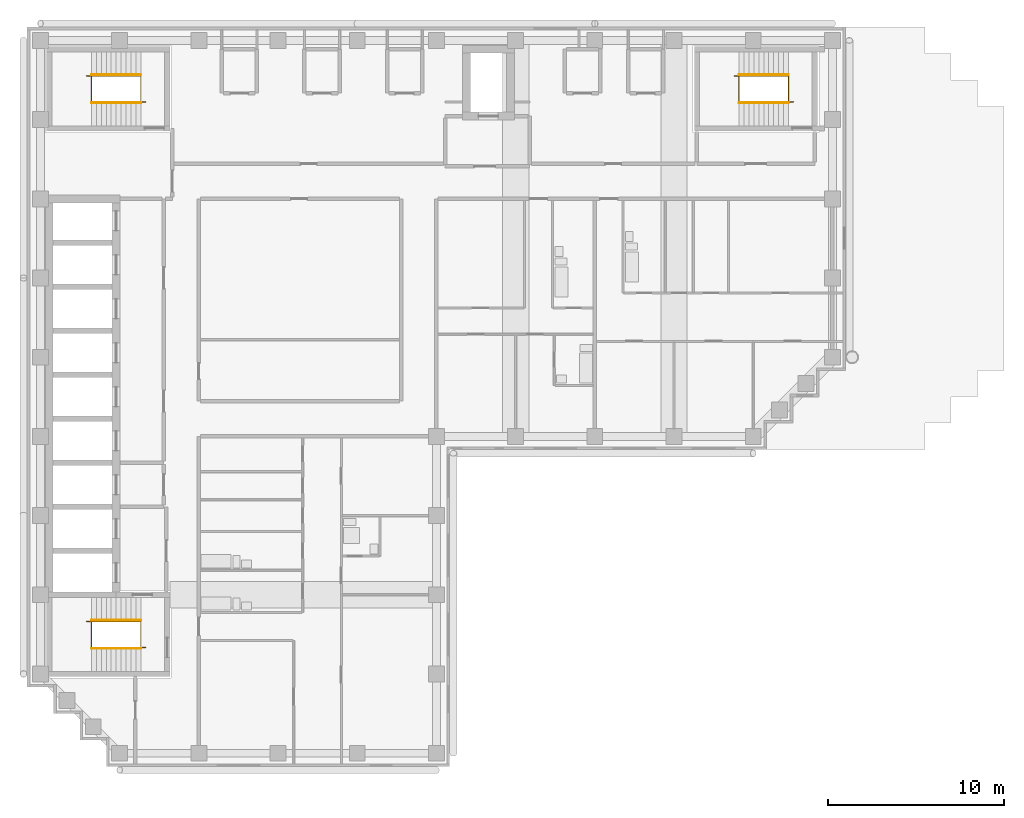
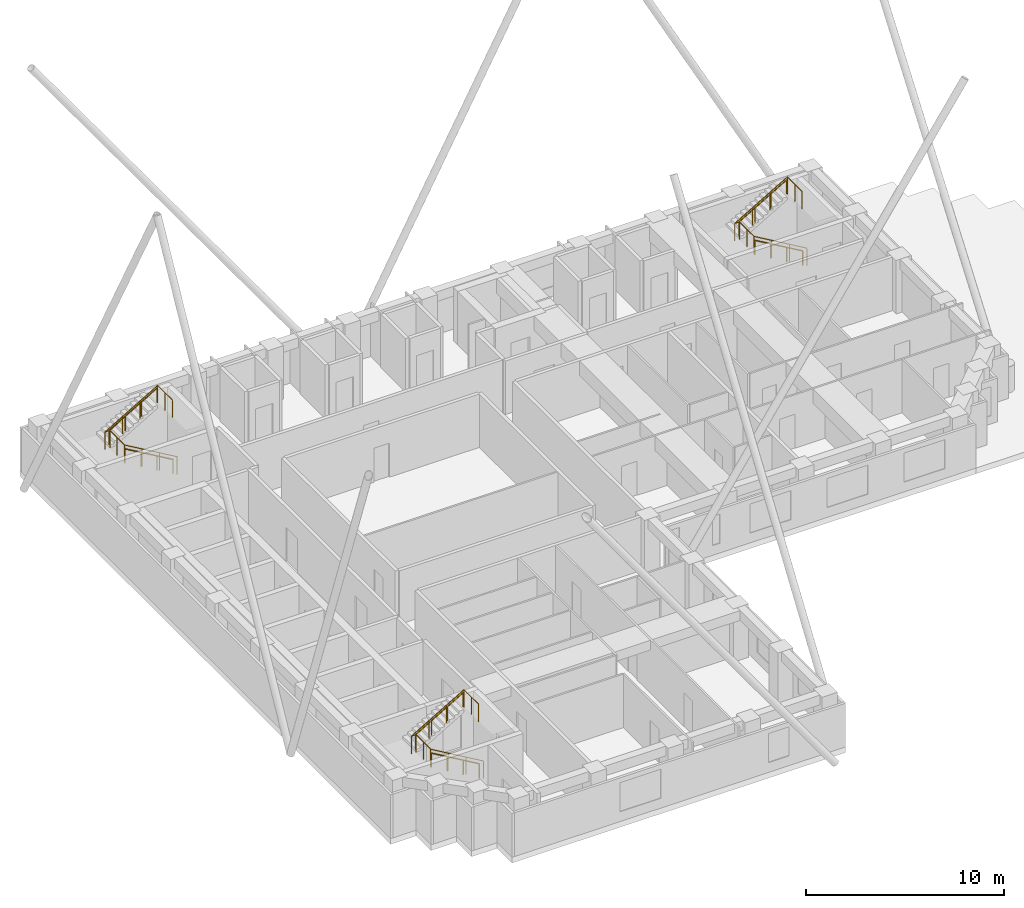
# One storey, part 7 of 8: 9 railings.
"""IFC4 building model written with IfcOpenShell, lengths in metres."""

from ifc_helpers import new_model, si_unit, direction, frame, origin, origin_2d, place, context, subcontext, project, spatial, circle, extrude, material, type_object, element, save


model = new_model("IFC4")

# Units and contexts
model_context = context("Model", 3, precision=1e-05, world=origin(), true_north=direction((0.0, 1.0)))
body_context = subcontext(model_context, "Body", "Model", "MODEL_VIEW")
ifc_project = project(units=[si_unit("LENGTHUNIT", "METRE"), si_unit("AREAUNIT", "SQUARE_METRE"), si_unit("VOLUMEUNIT", "CUBIC_METRE"), si_unit("PLANEANGLEUNIT", "RADIAN"), si_unit("MASSUNIT", "GRAM", prefix="KILO")], contexts=[model_context])

# Site, building, storey
site_placement = place(None, origin())
site = spatial("IfcSite", under=ifc_project, at=site_placement, CompositionType="ELEMENT")
building_placement = place(site_placement, origin())
building = spatial("IfcBuilding", under=site, at=building_placement, Name="Firuza Court", CompositionType="ELEMENT")
storey_placement = place(building_placement, frame((0.0, 0.0, 233.0)))
storey = spatial("IfcBuildingStorey", under=building, at=storey_placement, Name="L60", CompositionType="ELEMENT", Elevation=233.0)

# Railings
ifc_material_1 = material(Name="Steel S355", Category="steel")
railing_type_1 = type_object("IfcRailingType", Name="Handrail 900", PredefinedType="HANDRAIL", material=ifc_material_1)
railing_1_placement = place(storey_placement, frame((42.5, 54.949951171875, 0.16357421875)))
element("IfcRailing", 1, at=railing_1_placement, inside=storey, type_object=railing_type_1, Name="Handrail S1 flight 1", PredefinedType="HANDRAIL", context=body_context, shape_type="SweptSolid", body=[
    extrude(circle(Radius=0.02490234375, at=origin_2d()), frame((0.0, 0.0, 0.875), z_axis=(-0.863360870873, 0.0, 0.504586966384), x_axis=(0.0, -1.0, 0.0)), (0.0, 0.0, 1.0), 3.2431640625),
    extrude(circle(Radius=0.02001953125, at=origin_2d()), origin(), (0.0, 0.0, 1.0), 0.849853515625),
    extrude(circle(Radius=0.02001953125, at=origin_2d()), frame((-0.933349609375, 0.0, 0.54541015625)), (0.0, 0.0, 1.0), 0.849853515625),
    extrude(circle(Radius=0.02001953125, at=origin_2d()), frame((-1.86669921875, 0.0, 1.091064453125)), (0.0, 0.0, 1.0), 0.849853515625),
    extrude(circle(Radius=0.02001953125, at=origin_2d()), frame((-2.800048828125, 0.0, 1.636474609375)), (0.0, 0.0, 1.0), 0.849853515625),
])
railing_2_placement = place(storey_placement, frame((39.699951171875, 56.550048828125, 1.963623046875)))
element("IfcRailing", 2, at=railing_2_placement, inside=storey, type_object=railing_type_1, Name="Handrail S1 flight 2", PredefinedType="HANDRAIL", context=body_context, shape_type="SweptSolid", body=[
    extrude(circle(Radius=0.02490234375, at=origin_2d()), frame((0.0, 0.0, 0.875), z_axis=(0.863360870873, 0.0, 0.504586966384), x_axis=(0.0, 1.0, 0.0)), (0.0, 0.0, 1.0), 3.2431640625),
    extrude(circle(Radius=0.02001953125, at=origin_2d()), origin(), (0.0, 0.0, 1.0), 0.849853515625),
    extrude(circle(Radius=0.02001953125, at=origin_2d()), frame((0.933349609375, 0.0, 0.54541015625)), (0.0, 0.0, 1.0), 0.849853515625),
    extrude(circle(Radius=0.02001953125, at=origin_2d()), frame((1.86669921875, 0.0, 1.091064453125)), (0.0, 0.0, 1.0), 0.849853515625),
    extrude(circle(Radius=0.02001953125, at=origin_2d()), frame((2.800048828125, 0.0, 1.636474609375)), (0.0, 0.0, 1.0), 0.849853515625),
])
railing_3_placement = place(storey_placement, frame((5.699951171875, 23.949951171875, 0.16357421875)))
element("IfcRailing", 3, at=railing_3_placement, inside=storey, type_object=railing_type_1, Name="Handrail S2 flight 1", PredefinedType="HANDRAIL", context=body_context, shape_type="SweptSolid", body=[
    extrude(circle(Radius=0.02490234375, at=origin_2d()), frame((0.0, 0.0, 0.875), z_axis=(-0.863360870873, 0.0, 0.504586966384), x_axis=(0.0, -1.0, 0.0)), (0.0, 0.0, 1.0), 3.2431640625),
    extrude(circle(Radius=0.02001953125, at=origin_2d()), origin(), (0.0, 0.0, 1.0), 0.849853515625),
    extrude(circle(Radius=0.02001953125, at=origin_2d()), frame((-0.933349609375, 0.0, 0.54541015625)), (0.0, 0.0, 1.0), 0.849853515625),
    extrude(circle(Radius=0.02001953125, at=origin_2d()), frame((-1.86669921875, 0.0, 1.091064453125)), (0.0, 0.0, 1.0), 0.849853515625),
    extrude(circle(Radius=0.02001953125, at=origin_2d()), frame((-2.800048828125, 0.0, 1.636474609375)), (0.0, 0.0, 1.0), 0.849853515625),
])
railing_4_placement = place(storey_placement, frame((2.89990234375, 25.550048828125, 1.963623046875)))
element("IfcRailing", 4, at=railing_4_placement, inside=storey, type_object=railing_type_1, Name="Handrail S2 flight 2", PredefinedType="HANDRAIL", context=body_context, shape_type="SweptSolid", body=[
    extrude(circle(Radius=0.02490234375, at=origin_2d()), frame((0.0, 0.0, 0.875), z_axis=(0.863360870873, 0.0, 0.504586966384), x_axis=(0.0, 1.0, 0.0)), (0.0, 0.0, 1.0), 3.2431640625),
    extrude(circle(Radius=0.02001953125, at=origin_2d()), origin(), (0.0, 0.0, 1.0), 0.849853515625),
    extrude(circle(Radius=0.02001953125, at=origin_2d()), frame((0.933349609375, 0.0, 0.54541015625)), (0.0, 0.0, 1.0), 0.849853515625),
    extrude(circle(Radius=0.02001953125, at=origin_2d()), frame((1.86669921875, 0.0, 1.091064453125)), (0.0, 0.0, 1.0), 0.849853515625),
    extrude(circle(Radius=0.02001953125, at=origin_2d()), frame((2.800048828125, 0.0, 1.636474609375)), (0.0, 0.0, 1.0), 0.849853515625),
])
railing_5_placement = place(storey_placement, frame((5.699951171875, 54.949951171875, 0.16357421875)))
element("IfcRailing", 5, at=railing_5_placement, inside=storey, type_object=railing_type_1, Name="Handrail S3 flight 1", PredefinedType="HANDRAIL", context=body_context, shape_type="SweptSolid", body=[
    extrude(circle(Radius=0.02490234375, at=origin_2d()), frame((0.0, 0.0, 0.875), z_axis=(-0.863360870873, 0.0, 0.504586966384), x_axis=(0.0, -1.0, 0.0)), (0.0, 0.0, 1.0), 3.2431640625),
    extrude(circle(Radius=0.02001953125, at=origin_2d()), origin(), (0.0, 0.0, 1.0), 0.849853515625),
    extrude(circle(Radius=0.02001953125, at=origin_2d()), frame((-0.933349609375, 0.0, 0.54541015625)), (0.0, 0.0, 1.0), 0.849853515625),
    extrude(circle(Radius=0.02001953125, at=origin_2d()), frame((-1.86669921875, 0.0, 1.091064453125)), (0.0, 0.0, 1.0), 0.849853515625),
    extrude(circle(Radius=0.02001953125, at=origin_2d()), frame((-2.800048828125, 0.0, 1.636474609375)), (0.0, 0.0, 1.0), 0.849853515625),
])
railing_6_placement = place(storey_placement, frame((2.89990234375, 56.550048828125, 1.963623046875)))
element("IfcRailing", 6, at=railing_6_placement, inside=storey, type_object=railing_type_1, Name="Handrail S3 flight 2", PredefinedType="HANDRAIL", context=body_context, shape_type="SweptSolid", body=[
    extrude(circle(Radius=0.02490234375, at=origin_2d()), frame((0.0, 0.0, 0.875), z_axis=(0.863360870873, 0.0, 0.504586966384), x_axis=(0.0, 1.0, 0.0)), (0.0, 0.0, 1.0), 3.2431640625),
    extrude(circle(Radius=0.02001953125, at=origin_2d()), origin(), (0.0, 0.0, 1.0), 0.849853515625),
    extrude(circle(Radius=0.02001953125, at=origin_2d()), frame((0.933349609375, 0.0, 0.54541015625)), (0.0, 0.0, 1.0), 0.849853515625),
    extrude(circle(Radius=0.02001953125, at=origin_2d()), frame((1.86669921875, 0.0, 1.091064453125)), (0.0, 0.0, 1.0), 0.849853515625),
    extrude(circle(Radius=0.02001953125, at=origin_2d()), frame((2.800048828125, 0.0, 1.636474609375)), (0.0, 0.0, 1.0), 0.849853515625),
])
ifc_material_2 = material(Name="Steel S355", Category="steel")
railing_type_2 = type_object("IfcRailingType", Name="Stair guard 1100", PredefinedType="GUARDRAIL", material=ifc_material_2)
railing_7_placement = place(storey_placement, frame((42.780029296875, 55.010009765625, 0.0)))
element("IfcRailing", 7, at=railing_7_placement, inside=storey, type_object=railing_type_2, Name="Stair well guard S1", PredefinedType="GUARDRAIL", context=body_context, shape_type="SweptSolid", body=[
    extrude(circle(Radius=0.02490234375, at=origin_2d()), frame((0.0, 0.0, 1.0751953125), z_axis=(-0.863371556955, 0.0, 0.504568681787), x_axis=(0.0, -1.0, 0.0)), (0.0, 0.0, 1.0), 3.5673828125),
    extrude(circle(Radius=0.02490234375, at=origin_2d()), frame((-3.080078125, 0.0, 2.875), z_axis=(0.0, 1.0, 0.0), x_axis=(-1.0, 0.0, 0.0)), (0.0, 0.0, 1.0), 1.47998046875),
    extrude(circle(Radius=0.02490234375, at=origin_2d()), frame((-3.080078125, 1.47998046875, 2.875), z_axis=(-1.0, 0.0, 0.0), x_axis=(0.0, -1.0, 0.0)), (0.0, 0.0, 1.0), 0.280029296875),
    extrude(circle(Radius=0.02490234375, at=origin_2d()), frame((-3.360107421875, 1.47998046875, 2.875), z_axis=(0.863371556955, 0.0, 0.504568681787), x_axis=(0.0, 1.0, 0.0)), (0.0, 0.0, 1.0), 3.5673828125),
    extrude(circle(Radius=0.02490234375, at=origin_2d()), frame((-0.280029296875, 1.47998046875, 4.67529296875), z_axis=(0.0, -1.0, 0.0), x_axis=(1.0, 0.0, 0.0)), (0.0, 0.0, 1.0), 1.47998046875),
    extrude(circle(Radius=0.02490234375, at=origin_2d()), origin(), (0.0, 0.0, 1.0), 1.050048828125),
    extrude(circle(Radius=0.02490234375, at=origin_2d()), frame((-1.026611328125, 0.0, 0.60009765625)), (0.0, 0.0, 1.0), 1.050048828125),
    extrude(circle(Radius=0.02490234375, at=origin_2d()), frame((-2.053466796875, 0.0, 1.199951171875)), (0.0, 0.0, 1.0), 1.050048828125),
    extrude(circle(Radius=0.02490234375, at=origin_2d()), frame((-3.080078125, 0.0, 1.800048828125)), (0.0, 0.0, 1.0), 1.050048828125),
    extrude(circle(Radius=0.02490234375, at=origin_2d()), frame((-3.080078125, 0.739990234375, 1.800048828125)), (0.0, 0.0, 1.0), 1.050048828125),
    extrude(circle(Radius=0.02490234375, at=origin_2d()), frame((-3.080078125, 1.47998046875, 1.800048828125)), (0.0, 0.0, 1.0), 1.050048828125),
    extrude(circle(Radius=0.02490234375, at=origin_2d()), frame((-3.360107421875, 1.47998046875, 1.800048828125)), (0.0, 0.0, 1.0), 1.050048828125),
    extrude(circle(Radius=0.02490234375, at=origin_2d()), frame((-2.33349609375, 1.47998046875, 2.400146484375)), (0.0, 0.0, 1.0), 1.050048828125),
    extrude(circle(Radius=0.02490234375, at=origin_2d()), frame((-1.306640625, 1.47998046875, 3.0)), (0.0, 0.0, 1.0), 1.050048828125),
    extrude(circle(Radius=0.02490234375, at=origin_2d()), frame((-0.280029296875, 1.47998046875, 3.60009765625)), (0.0, 0.0, 1.0), 1.050048828125),
    extrude(circle(Radius=0.02490234375, at=origin_2d()), frame((-0.280029296875, 0.739990234375, 3.60009765625)), (0.0, 0.0, 1.0), 1.050048828125),
    extrude(circle(Radius=0.02490234375, at=origin_2d()), frame((-0.280029296875, 0.0, 3.60009765625)), (0.0, 0.0, 1.0), 1.050048828125),
])
railing_8_placement = place(storey_placement, frame((5.97998046875, 24.010009765625, 0.0)))
element("IfcRailing", 8, at=railing_8_placement, inside=storey, type_object=railing_type_2, Name="Stair well guard S2", PredefinedType="GUARDRAIL", context=body_context, shape_type="SweptSolid", body=[
    extrude(circle(Radius=0.02490234375, at=origin_2d()), frame((0.0, 0.0, 1.0751953125), z_axis=(-0.863371556955, 0.0, 0.504568681787), x_axis=(0.0, -1.0, 0.0)), (0.0, 0.0, 1.0), 3.5673828125),
    extrude(circle(Radius=0.02490234375, at=origin_2d()), frame((-3.080078125, 0.0, 2.875), z_axis=(0.0, 1.0, 0.0), x_axis=(-1.0, 0.0, 0.0)), (0.0, 0.0, 1.0), 1.47998046875),
    extrude(circle(Radius=0.02490234375, at=origin_2d()), frame((-3.080078125, 1.47998046875, 2.875), z_axis=(-1.0, 0.0, 0.0), x_axis=(0.0, -1.0, 0.0)), (0.0, 0.0, 1.0), 0.27978515625),
    extrude(circle(Radius=0.02490234375, at=origin_2d()), frame((-3.35986328125, 1.47998046875, 2.875), z_axis=(0.863354132664, 0.0, 0.504598495452), x_axis=(0.0, 1.0, 0.0)), (0.0, 0.0, 1.0), 3.5673828125),
    extrude(circle(Radius=0.02490234375, at=origin_2d()), frame((-0.280029296875, 1.47998046875, 4.67529296875), z_axis=(0.0, -1.0, 0.0), x_axis=(1.0, 0.0, 0.0)), (0.0, 0.0, 1.0), 1.47998046875),
    extrude(circle(Radius=0.02490234375, at=origin_2d()), origin(), (0.0, 0.0, 1.0), 1.050048828125),
    extrude(circle(Radius=0.02490234375, at=origin_2d()), frame((-1.026611328125, 0.0, 0.60009765625)), (0.0, 0.0, 1.0), 1.050048828125),
    extrude(circle(Radius=0.02490234375, at=origin_2d()), frame((-2.053466796875, 0.0, 1.199951171875)), (0.0, 0.0, 1.0), 1.050048828125),
    extrude(circle(Radius=0.02490234375, at=origin_2d()), frame((-3.080078125, 0.0, 1.800048828125)), (0.0, 0.0, 1.0), 1.050048828125),
    extrude(circle(Radius=0.02490234375, at=origin_2d()), frame((-3.080078125, 0.739990234375, 1.800048828125)), (0.0, 0.0, 1.0), 1.050048828125),
    extrude(circle(Radius=0.02490234375, at=origin_2d()), frame((-3.080078125, 1.47998046875, 1.800048828125)), (0.0, 0.0, 1.0), 1.050048828125),
    extrude(circle(Radius=0.02490234375, at=origin_2d()), frame((-3.35986328125, 1.47998046875, 1.800048828125)), (0.0, 0.0, 1.0), 1.050048828125),
    extrude(circle(Radius=0.02490234375, at=origin_2d()), frame((-2.333251953125, 1.47998046875, 2.400146484375)), (0.0, 0.0, 1.0), 1.050048828125),
    extrude(circle(Radius=0.02490234375, at=origin_2d()), frame((-1.306640625, 1.47998046875, 3.0)), (0.0, 0.0, 1.0), 1.050048828125),
    extrude(circle(Radius=0.02490234375, at=origin_2d()), frame((-0.280029296875, 1.47998046875, 3.60009765625)), (0.0, 0.0, 1.0), 1.050048828125),
    extrude(circle(Radius=0.02490234375, at=origin_2d()), frame((-0.280029296875, 0.739990234375, 3.60009765625)), (0.0, 0.0, 1.0), 1.050048828125),
    extrude(circle(Radius=0.02490234375, at=origin_2d()), frame((-0.280029296875, 0.0, 3.60009765625)), (0.0, 0.0, 1.0), 1.050048828125),
])
railing_9_placement = place(storey_placement, frame((5.97998046875, 55.010009765625, 0.0)))
element("IfcRailing", 9, at=railing_9_placement, inside=storey, type_object=railing_type_2, Name="Stair well guard S3", PredefinedType="GUARDRAIL", context=body_context, shape_type="SweptSolid", body=[
    extrude(circle(Radius=0.02490234375, at=origin_2d()), frame((0.0, 0.0, 1.0751953125), z_axis=(-0.863371556955, 0.0, 0.504568681787), x_axis=(0.0, -1.0, 0.0)), (0.0, 0.0, 1.0), 3.5673828125),
    extrude(circle(Radius=0.02490234375, at=origin_2d()), frame((-3.080078125, 0.0, 2.875), z_axis=(0.0, 1.0, 0.0), x_axis=(-1.0, 0.0, 0.0)), (0.0, 0.0, 1.0), 1.47998046875),
    extrude(circle(Radius=0.02490234375, at=origin_2d()), frame((-3.080078125, 1.47998046875, 2.875), z_axis=(-1.0, 0.0, 0.0), x_axis=(0.0, -1.0, 0.0)), (0.0, 0.0, 1.0), 0.27978515625),
    extrude(circle(Radius=0.02490234375, at=origin_2d()), frame((-3.35986328125, 1.47998046875, 2.875), z_axis=(0.863354132664, 0.0, 0.504598495452), x_axis=(0.0, 1.0, 0.0)), (0.0, 0.0, 1.0), 3.5673828125),
    extrude(circle(Radius=0.02490234375, at=origin_2d()), frame((-0.280029296875, 1.47998046875, 4.67529296875), z_axis=(0.0, -1.0, 0.0), x_axis=(1.0, 0.0, 0.0)), (0.0, 0.0, 1.0), 1.47998046875),
    extrude(circle(Radius=0.02490234375, at=origin_2d()), origin(), (0.0, 0.0, 1.0), 1.050048828125),
    extrude(circle(Radius=0.02490234375, at=origin_2d()), frame((-1.026611328125, 0.0, 0.60009765625)), (0.0, 0.0, 1.0), 1.050048828125),
    extrude(circle(Radius=0.02490234375, at=origin_2d()), frame((-2.053466796875, 0.0, 1.199951171875)), (0.0, 0.0, 1.0), 1.050048828125),
    extrude(circle(Radius=0.02490234375, at=origin_2d()), frame((-3.080078125, 0.0, 1.800048828125)), (0.0, 0.0, 1.0), 1.050048828125),
    extrude(circle(Radius=0.02490234375, at=origin_2d()), frame((-3.080078125, 0.739990234375, 1.800048828125)), (0.0, 0.0, 1.0), 1.050048828125),
    extrude(circle(Radius=0.02490234375, at=origin_2d()), frame((-3.080078125, 1.47998046875, 1.800048828125)), (0.0, 0.0, 1.0), 1.050048828125),
    extrude(circle(Radius=0.02490234375, at=origin_2d()), frame((-3.35986328125, 1.47998046875, 1.800048828125)), (0.0, 0.0, 1.0), 1.050048828125),
    extrude(circle(Radius=0.02490234375, at=origin_2d()), frame((-2.333251953125, 1.47998046875, 2.400146484375)), (0.0, 0.0, 1.0), 1.050048828125),
    extrude(circle(Radius=0.02490234375, at=origin_2d()), frame((-1.306640625, 1.47998046875, 3.0)), (0.0, 0.0, 1.0), 1.050048828125),
    extrude(circle(Radius=0.02490234375, at=origin_2d()), frame((-0.280029296875, 1.47998046875, 3.60009765625)), (0.0, 0.0, 1.0), 1.050048828125),
    extrude(circle(Radius=0.02490234375, at=origin_2d()), frame((-0.280029296875, 0.739990234375, 3.60009765625)), (0.0, 0.0, 1.0), 1.050048828125),
    extrude(circle(Radius=0.02490234375, at=origin_2d()), frame((-0.280029296875, 0.0, 3.60009765625)), (0.0, 0.0, 1.0), 1.050048828125),
])

save(model, "model.ifc")
